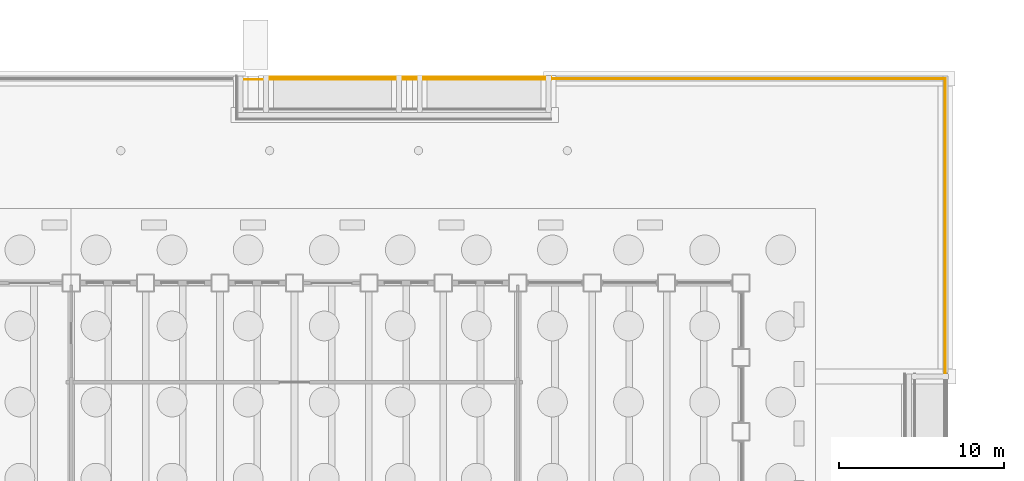
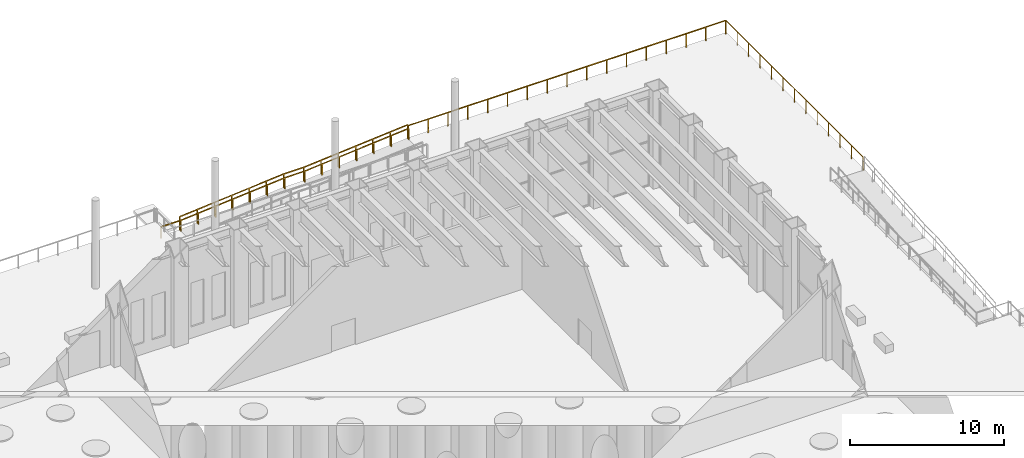
# One storey, part 22 of 26: 4 railings.
"""IFC4 building model written with IfcOpenShell, lengths in metres."""

import ifcopenshell
import ifcopenshell.guid

model = None  # the IFC model being written
_history = None  # IfcOwnerHistory: only IFC2X3 demands one
_inside = {}  # id of a spatial element -> (the spatial element, [elements in it])
_under = {}  # id of a project, library or spatial element -> (it, [spatial elements below it])
_declared = {}  # id of a project -> (the project, [libraries it declares])
_typed = {}  # id of a type object -> (the type object, [elements of that type])
_made_of = {}  # id of a material, layer set ... -> (it, [elements and type objects made of it])


def new_model(schema):
    """Start an empty IFC model of exactly this schema.

    Asked for "IFC4X3", IfcOpenShell would pick the latest addendum, in which some entities
    have other attributes; the version numbers below select the first issue.
    IFC2X3 requires an IfcOwnerHistory on every rooted entity: one is made here for all.
    """
    global model, _history
    if schema == "IFC4X3":
        model = ifcopenshell.file(schema_version=(4, 3, 0, 0))
    else:
        model = ifcopenshell.file(schema=schema)
    _inside.clear()
    _under.clear()
    _declared.clear()
    _typed.clear()
    _made_of.clear()
    _history = None
    if model.schema == "IFC2X3":
        org = make("IfcOrganization", Name="unknown")
        user = make(
            "IfcPersonAndOrganization",
            ThePerson=make("IfcPerson", FamilyName="unknown"),
            TheOrganization=org,
        )
        app = make(
            "IfcApplication",
            ApplicationDeveloper=org,
            Version="unknown",
            ApplicationFullName="unknown",
            ApplicationIdentifier="unknown",
        )
        _history = make(
            "IfcOwnerHistory",
            OwningUser=user,
            OwningApplication=app,
            ChangeAction="ADDED",
            CreationDate=0,
        )
    return model


def make(cls, **values):
    """One entity of the class cls with the attributes given. An attribute that is None is left unset."""
    return model.create_entity(
        cls, **{name: value for name, value in values.items() if value is not None}
    )


def rooted(cls, **values):
    """An entity with a GlobalId (a new one), such as an element, a storey or a relation."""
    return make(cls, GlobalId=ifcopenshell.guid.new(), OwnerHistory=_history, **values)


def si_unit(unit_type, name, prefix=None):
    """IfcSIUnit, for example si_unit("LENGTHUNIT", "METRE", prefix="MILLI")."""
    return make("IfcSIUnit", UnitType=unit_type, Prefix=prefix, Name=name)


def assignment(units):
    """IfcUnitAssignment: the units of a project."""
    return None if units is None else make("IfcUnitAssignment", Units=units)


def point(xyz):
    """IfcCartesianPoint."""
    return None if xyz is None else make("IfcCartesianPoint", Coordinates=xyz)


def direction(xyz):
    """IfcDirection."""
    return None if xyz is None else make("IfcDirection", DirectionRatios=xyz)


def frame(location, z_axis=None, x_axis=None):
    """IfcAxis2Placement3D, a coordinate frame: its origin and axes. An axis left out is left unset."""
    return make(
        "IfcAxis2Placement3D",
        Location=point(location),
        Axis=direction(z_axis),
        RefDirection=direction(x_axis),
    )


def frame_2d(location, x_axis=None):
    """IfcAxis2Placement2D, a coordinate frame in the plane: its origin and x axis."""
    return make(
        "IfcAxis2Placement2D", Location=point(location), RefDirection=direction(x_axis)
    )


def origin():
    """The frame at (0, 0, 0) with its axes left unset."""
    return frame((0.0, 0.0, 0.0))


def origin_2d():
    """The frame at (0, 0) in the plane with its x axis left unset."""
    return frame_2d((0.0, 0.0))


def place(relative_to, where):
    """IfcLocalPlacement: puts the frame where relative to a parent placement (None: the world)."""
    return make(
        "IfcLocalPlacement", PlacementRelTo=relative_to, RelativePlacement=where
    )


def context(
    kind, dimensions, precision=None, world=None, true_north=None, identifier=None
):
    """IfcGeometricRepresentationContext, for example the 3D "Model" context."""
    return make(
        "IfcGeometricRepresentationContext",
        ContextIdentifier=identifier,
        ContextType=kind,
        CoordinateSpaceDimension=dimensions,
        Precision=precision,
        WorldCoordinateSystem=world,
        TrueNorth=true_north,
    )


def subcontext(parent, identifier, kind, view, scale=None):
    """IfcGeometricRepresentationSubContext, for example "Body" below "Model"."""
    return make(
        "IfcGeometricRepresentationSubContext",
        ContextIdentifier=identifier,
        ContextType=kind,
        ParentContext=parent,
        TargetScale=scale,
        TargetView=view,
    )


def project(units=None, contexts=None):
    """IfcProject with its units and contexts."""
    return rooted(
        "IfcProject",
        Name="project",
        RepresentationContexts=contexts,
        UnitsInContext=assignment(units),
    )


def spatial(cls, under=None, at=None, **own):
    """A site, building, storey or space (cls), placed at a placement, below another one or the project."""
    s = rooted(cls, ObjectPlacement=at, **own)
    if under is not None:
        _under.setdefault(under.id(), (under, []))[1].append(s)
    return s


def profile(cls, at=None, kind="AREA", **sizes):
    """A parametric profile (cls). Its sizes go by their IFC names, for example OverallWidth=200.0."""
    return make(cls, ProfileType=kind, Position=at, **sizes)


def rectangle(**sizes):
    """IfcRectangleProfileDef."""
    return profile("IfcRectangleProfileDef", **sizes)


def extrude(swept, where, along, depth):
    """IfcExtrudedAreaSolid: the profile swept, set in the frame where, extruded along a direction by depth."""
    return make(
        "IfcExtrudedAreaSolid",
        SweptArea=swept,
        Position=where,
        ExtrudedDirection=direction(along),
        Depth=depth,
    )


def shape(context_of_items, identifier, shape_type, items):
    """IfcShapeRepresentation: the items that make up one representation, for example the "Body"."""
    return make(
        "IfcShapeRepresentation",
        ContextOfItems=context_of_items,
        RepresentationIdentifier=identifier,
        RepresentationType=shape_type,
        Items=items,
    )


def material(Name=None, Category=None):
    """IfcMaterial."""
    return make("IfcMaterial", Name=Name, Category=Category)


def made_of(thing, what):
    """Note that an element or type object is made of a material, layer set ...; save() writes the relation."""
    if what is not None:
        _made_of.setdefault(what.id(), (what, []))[1].append(thing)
    return thing


def type_object(cls, material=None, **own):
    """A type object (cls), such as IfcWallType, which elements share."""
    return made_of(rooted(cls, **own), material)


def element(
    cls,
    number,
    at=None,
    inside=None,
    cuts=None,
    type_object=None,
    material=None,
    context=None,
    identifier="Body",
    shape_type=None,
    held_by="IfcProductDefinitionShape",
    body=None,
    shapes=None,
    **own,
):
    """One element of the class cls, such as IfcWall. Its Tag is "e" and its number.

    at: its placement. inside: the storey or other place that contains it. cuts: it is an
    opening in that element (IfcRelVoidsElement). A single representation is given by context,
    identifier, shape_type and body (its items); several are given by shapes. held_by: the class
    of the entity that holds the representations. save() writes the other relations.
    """
    e = rooted(cls, Tag="e%d" % number, ObjectPlacement=at, **own)
    if body is not None:
        shapes = [shape(context, identifier, shape_type, body)]
    if shapes is not None:
        e.Representation = make(held_by, Representations=shapes)
    if inside is not None:
        _inside.setdefault(inside.id(), (inside, []))[1].append(e)
    if cuts is not None:
        rooted(
            "IfcRelVoidsElement", RelatingBuildingElement=cuts, RelatedOpeningElement=e
        )
    if type_object is not None:
        _typed.setdefault(type_object.id(), (type_object, []))[1].append(e)
    return made_of(e, material)


def aggregate(whole, parts):
    """IfcRelAggregates: a whole, such as a stair, and the parts it consists of."""
    return rooted("IfcRelAggregates", RelatingObject=whole, RelatedObjects=parts)


def save(model, path):
    """Write the relations noted so far, then the file.

    IfcRelAggregates (storeys below a building ...), IfcRelContainedInSpatialStructure (elements
    in a storey), IfcRelDefinesByType, IfcRelAssociatesMaterial and IfcRelDeclares: one each for
    every whole, place, type object, material and project.
    """
    for whole, parts in _under.values():
        aggregate(whole, parts)
    for where, things in _inside.values():
        rooted(
            "IfcRelContainedInSpatialStructure",
            RelatedElements=things,
            RelatingStructure=where,
        )
    for kind, things in _typed.values():
        rooted("IfcRelDefinesByType", RelatedObjects=things, RelatingType=kind)
    for what, things in _made_of.values():
        rooted("IfcRelAssociatesMaterial", RelatedObjects=things, RelatingMaterial=what)
    for by, libraries in _declared.values():
        rooted("IfcRelDeclares", RelatingContext=by, RelatedDefinitions=libraries)
    model.write(path)


model = new_model("IFC4")

# Units and contexts
model_context = context("Model", 3, precision=1e-05, world=origin(), true_north=direction((0.0, 1.0)))
body_context = subcontext(model_context, "Body", "Model", "MODEL_VIEW")
ifc_project = project(units=[si_unit("LENGTHUNIT", "METRE"), si_unit("AREAUNIT", "SQUARE_METRE"), si_unit("VOLUMEUNIT", "CUBIC_METRE"), si_unit("PLANEANGLEUNIT", "RADIAN"), si_unit("MASSUNIT", "GRAM", prefix="KILO")], contexts=[model_context])

# Site, building, storey
site_placement = place(None, origin())
site = spatial("IfcSite", under=ifc_project, at=site_placement, CompositionType="ELEMENT")
building_placement = place(site_placement, origin())
building = spatial("IfcBuilding", under=site, at=building_placement, Name="Sennacour Bend Tower", CompositionType="ELEMENT")
storey_placement = place(building_placement, origin())
storey = spatial("IfcBuildingStorey", under=building, at=storey_placement, Name="L00", CompositionType="ELEMENT", Elevation=0.0)

# Railings
ifc_material = material(Name="Stainless steel 316", Category="steel")
railing_type_1 = type_object("IfcRailingType", Name="PLAZA EDGE GUARD 1100", PredefinedType="GUARDRAIL", material=ifc_material)
railing_1_placement = place(storey_placement, frame((79.85009765625, 44.0, 0.0)))
element("IfcRailing", 1, at=railing_1_placement, inside=storey, type_object=railing_type_1, Name="Plaza edge guard east", PredefinedType="GUARDRAIL", context=body_context, shape_type="SweptSolid", body=[
    extrude(rectangle(XDim=0.048095703125, YDim=0.048095703125, at=origin_2d()), frame((0.0, 0.0, 1.076171875), z_axis=(0.0, 1.0, 0.0), x_axis=(-1.0, 0.0, 0.0)), (0.0, 0.0, 1.0), 17.85009765625),
    extrude(rectangle(XDim=0.0419921875, YDim=0.0419921875, at=origin_2d()), origin(), (0.0, 0.0, 1.0), 1.052001953125),
    extrude(rectangle(XDim=0.0419921875, YDim=0.0419921875, at=origin_2d()), frame((0.0, 1.487548828125, 0.0)), (0.0, 0.0, 1.0), 1.052001953125),
    extrude(rectangle(XDim=0.0419921875, YDim=0.0419921875, at=origin_2d()), frame((0.0, 2.97509765625, 0.0)), (0.0, 0.0, 1.0), 1.052001953125),
    extrude(rectangle(XDim=0.0419921875, YDim=0.0419921875, at=origin_2d()), frame((0.0, 4.46240234375, 0.0)), (0.0, 0.0, 1.0), 1.052001953125),
    extrude(rectangle(XDim=0.0419921875, YDim=0.0419921875, at=origin_2d()), frame((0.0, 5.949951171875, 0.0)), (0.0, 0.0, 1.0), 1.052001953125),
    extrude(rectangle(XDim=0.0419921875, YDim=0.0419921875, at=origin_2d()), frame((0.0, 7.4375, 0.0)), (0.0, 0.0, 1.0), 1.052001953125),
    extrude(rectangle(XDim=0.0419921875, YDim=0.0419921875, at=origin_2d()), frame((0.0, 8.925048828125, 0.0)), (0.0, 0.0, 1.0), 1.052001953125),
    extrude(rectangle(XDim=0.0419921875, YDim=0.0419921875, at=origin_2d()), frame((0.0, 10.41259765625, 0.0)), (0.0, 0.0, 1.0), 1.052001953125),
    extrude(rectangle(XDim=0.0419921875, YDim=0.0419921875, at=origin_2d()), frame((0.0, 11.900146484375, 0.0)), (0.0, 0.0, 1.0), 1.052001953125),
    extrude(rectangle(XDim=0.0419921875, YDim=0.0419921875, at=origin_2d()), frame((0.0, 13.3876953125, 0.0)), (0.0, 0.0, 1.0), 1.052001953125),
    extrude(rectangle(XDim=0.0419921875, YDim=0.0419921875, at=origin_2d()), frame((0.0, 14.875, 0.0)), (0.0, 0.0, 1.0), 1.052001953125),
    extrude(rectangle(XDim=0.0419921875, YDim=0.0419921875, at=origin_2d()), frame((0.0, 16.362548828125, 0.0)), (0.0, 0.0, 1.0), 1.052001953125),
    extrude(rectangle(XDim=0.0419921875, YDim=0.0419921875, at=origin_2d()), frame((0.0, 17.85009765625, 0.0)), (0.0, 0.0, 1.0), 1.052001953125),
])
railing_2_placement = place(storey_placement, frame((56.0, 61.85009765625, 0.0)))
element("IfcRailing", 2, at=railing_2_placement, inside=storey, type_object=railing_type_1, Name="Plaza edge guard north", PredefinedType="GUARDRAIL", context=body_context, shape_type="SweptSolid", body=[
    extrude(rectangle(XDim=0.048095703125, YDim=0.048095703125, at=origin_2d()), frame((0.0, 0.0, 1.076171875), z_axis=(1.0, 0.0, 0.0), x_axis=(0.0, 1.0, 0.0)), (0.0, 0.0, 1.0), 23.85009765625),
    extrude(rectangle(XDim=0.0419921875, YDim=0.0419921875, at=origin_2d()), origin(), (0.0, 0.0, 1.0), 1.052001953125),
    extrude(rectangle(XDim=0.0419921875, YDim=0.0419921875, at=origin_2d()), frame((1.49072265625, 0.0, 0.0)), (0.0, 0.0, 1.0), 1.052001953125),
    extrude(rectangle(XDim=0.0419921875, YDim=0.0419921875, at=origin_2d()), frame((2.981201171875, 0.0, 0.0)), (0.0, 0.0, 1.0), 1.052001953125),
    extrude(rectangle(XDim=0.0419921875, YDim=0.0419921875, at=origin_2d()), frame((4.471923828125, 0.0, 0.0)), (0.0, 0.0, 1.0), 1.052001953125),
    extrude(rectangle(XDim=0.0419921875, YDim=0.0419921875, at=origin_2d()), frame((5.96240234375, 0.0, 0.0)), (0.0, 0.0, 1.0), 1.052001953125),
    extrude(rectangle(XDim=0.0419921875, YDim=0.0419921875, at=origin_2d()), frame((7.453125, 0.0, 0.0)), (0.0, 0.0, 1.0), 1.052001953125),
    extrude(rectangle(XDim=0.0419921875, YDim=0.0419921875, at=origin_2d()), frame((8.94384765625, 0.0, 0.0)), (0.0, 0.0, 1.0), 1.052001953125),
    extrude(rectangle(XDim=0.0419921875, YDim=0.0419921875, at=origin_2d()), frame((10.434326171875, 0.0, 0.0)), (0.0, 0.0, 1.0), 1.052001953125),
    extrude(rectangle(XDim=0.0419921875, YDim=0.0419921875, at=origin_2d()), frame((11.925048828125, 0.0, 0.0)), (0.0, 0.0, 1.0), 1.052001953125),
    extrude(rectangle(XDim=0.0419921875, YDim=0.0419921875, at=origin_2d()), frame((13.415771484375, 0.0, 0.0)), (0.0, 0.0, 1.0), 1.052001953125),
    extrude(rectangle(XDim=0.0419921875, YDim=0.0419921875, at=origin_2d()), frame((14.90625, 0.0, 0.0)), (0.0, 0.0, 1.0), 1.052001953125),
    extrude(rectangle(XDim=0.0419921875, YDim=0.0419921875, at=origin_2d()), frame((16.39697265625, 0.0, 0.0)), (0.0, 0.0, 1.0), 1.052001953125),
    extrude(rectangle(XDim=0.0419921875, YDim=0.0419921875, at=origin_2d()), frame((17.8876953125, 0.0, 0.0)), (0.0, 0.0, 1.0), 1.052001953125),
    extrude(rectangle(XDim=0.0419921875, YDim=0.0419921875, at=origin_2d()), frame((19.378173828125, 0.0, 0.0)), (0.0, 0.0, 1.0), 1.052001953125),
    extrude(rectangle(XDim=0.0419921875, YDim=0.0419921875, at=origin_2d()), frame((20.868896484375, 0.0, 0.0)), (0.0, 0.0, 1.0), 1.052001953125),
    extrude(rectangle(XDim=0.0419921875, YDim=0.0419921875, at=origin_2d()), frame((22.359375, 0.0, 0.0)), (0.0, 0.0, 1.0), 1.052001953125),
    extrude(rectangle(XDim=0.0419921875, YDim=0.0419921875, at=origin_2d()), frame((23.85009765625, 0.0, 0.0)), (0.0, 0.0, 1.0), 1.052001953125),
])
railing_3_placement = place(storey_placement, frame((56.0, 61.949951171875, 0.0)))
element("IfcRailing", 3, at=railing_3_placement, inside=storey, type_object=railing_type_1, Name="Ramp guard North", PredefinedType="GUARDRAIL", context=body_context, shape_type="SweptSolid", body=[
    extrude(rectangle(XDim=0.048095703125, YDim=0.048095703125, at=origin_2d()), frame((0.0, 0.0, 1.076171875), z_axis=(-0.996546833741, 0.0, -0.083032572895), x_axis=(0.0, -1.0, 0.0)), (0.0, 0.0, 1.0), 7.8271484375),
    extrude(rectangle(XDim=0.048095703125, YDim=0.048095703125, at=origin_2d()), frame((-7.800048828125, 0.0, 0.42626953125), z_axis=(-1.0, 0.0, 0.0), x_axis=(0.0, -1.0, 0.0)), (0.0, 0.0, 1.0), 1.5),
    extrude(rectangle(XDim=0.048095703125, YDim=0.048095703125, at=origin_2d()), frame((-9.300048828125, 0.0, 0.42626953125), z_axis=(-0.996544252274, 0.0, -0.083063549526), x_axis=(0.0, -1.0, 0.0)), (0.0, 0.0, 1.0), 7.8271484375),
    extrude(rectangle(XDim=0.0419921875, YDim=0.0419921875, at=origin_2d()), origin(), (0.0, 0.0, 1.0), 1.052001953125),
    extrude(rectangle(XDim=0.0419921875, YDim=0.0419921875, at=origin_2d()), frame((-1.300048828125, 0.0, -0.1083984375)), (0.0, 0.0, 1.0), 1.052001953125),
    extrude(rectangle(XDim=0.0419921875, YDim=0.0419921875, at=origin_2d()), frame((-2.60009765625, 0.0, -0.216552734375)), (0.0, 0.0, 1.0), 1.052001953125),
    extrude(rectangle(XDim=0.0419921875, YDim=0.0419921875, at=origin_2d()), frame((-3.89990234375, 0.0, -0.324951171875)), (0.0, 0.0, 1.0), 1.052001953125),
    extrude(rectangle(XDim=0.0419921875, YDim=0.0419921875, at=origin_2d()), frame((-5.199951171875, 0.0, -0.433349609375)), (0.0, 0.0, 1.0), 1.052001953125),
    extrude(rectangle(XDim=0.0419921875, YDim=0.0419921875, at=origin_2d()), frame((-6.5, 0.0, -0.54150390625)), (0.0, 0.0, 1.0), 1.052001953125),
    extrude(rectangle(XDim=0.0419921875, YDim=0.0419921875, at=origin_2d()), frame((-7.800048828125, 0.0, -0.64990234375)), (0.0, 0.0, 1.0), 1.052001953125),
    extrude(rectangle(XDim=0.0419921875, YDim=0.0419921875, at=origin_2d()), frame((-9.300048828125, 0.0, -0.64990234375)), (0.0, 0.0, 1.0), 1.052001953125),
    extrude(rectangle(XDim=0.0419921875, YDim=0.0419921875, at=origin_2d()), frame((-10.60009765625, 0.0, -0.75830078125)), (0.0, 0.0, 1.0), 1.052001953125),
    extrude(rectangle(XDim=0.0419921875, YDim=0.0419921875, at=origin_2d()), frame((-11.900146484375, 0.0, -0.86669921875)), (0.0, 0.0, 1.0), 1.052001953125),
    extrude(rectangle(XDim=0.0419921875, YDim=0.0419921875, at=origin_2d()), frame((-13.2001953125, 0.0, -0.97509765625)), (0.0, 0.0, 1.0), 1.052001953125),
    extrude(rectangle(XDim=0.0419921875, YDim=0.0419921875, at=origin_2d()), frame((-14.5, 0.0, -1.083251953125)), (0.0, 0.0, 1.0), 1.052001953125),
    extrude(rectangle(XDim=0.0419921875, YDim=0.0419921875, at=origin_2d()), frame((-15.800048828125, 0.0, -1.191650390625)), (0.0, 0.0, 1.0), 1.052001953125),
    extrude(rectangle(XDim=0.0419921875, YDim=0.0419921875, at=origin_2d()), frame((-17.10009765625, 0.0, -1.300048828125)), (0.0, 0.0, 1.0), 1.052001953125),
])
railing_type_2 = type_object("IfcRailingType", Name="RAMP HANDRAIL 900", PredefinedType="HANDRAIL", material=ifc_material)
railing_4_placement = place(storey_placement, frame((56.0, 61.800048828125, 0.0)))
element("IfcRailing", 4, at=railing_4_placement, inside=storey, type_object=railing_type_2, Name="Ramp handrail street side", PredefinedType="HANDRAIL", context=body_context, shape_type="SweptSolid", body=[
    extrude(rectangle(XDim=0.048095703125, YDim=0.048095703125, at=origin_2d()), frame((0.0, 0.0, 0.8759765625), z_axis=(-0.996546833741, 0.0, -0.083032572895), x_axis=(0.0, -1.0, 0.0)), (0.0, 0.0, 1.0), 7.8271484375),
    extrude(rectangle(XDim=0.048095703125, YDim=0.048095703125, at=origin_2d()), frame((-7.800048828125, 0.0, 0.22607421875), z_axis=(-1.0, 0.0, 0.0), x_axis=(0.0, -1.0, 0.0)), (0.0, 0.0, 1.0), 1.5),
    extrude(rectangle(XDim=0.048095703125, YDim=0.048095703125, at=origin_2d()), frame((-9.300048828125, 0.0, 0.22607421875), z_axis=(-0.996544252274, 0.0, -0.083063549526), x_axis=(0.0, -1.0, 0.0)), (0.0, 0.0, 1.0), 7.8271484375),
    extrude(rectangle(XDim=0.048095703125, YDim=0.048095703125, at=origin_2d()), frame((-17.10009765625, 0.0, -0.42431640625), z_axis=(-1.0, 0.0, 0.0), x_axis=(0.0, -1.0, 0.0)), (0.0, 0.0, 1.0), 1.5),
    extrude(rectangle(XDim=0.0419921875, YDim=0.0419921875, at=origin_2d()), origin(), (0.0, 0.0, 1.0), 0.851806640625),
    extrude(rectangle(XDim=0.0419921875, YDim=0.0419921875, at=origin_2d()), frame((-1.300048828125, 0.0, -0.1083984375)), (0.0, 0.0, 1.0), 0.851806640625),
    extrude(rectangle(XDim=0.0419921875, YDim=0.0419921875, at=origin_2d()), frame((-2.60009765625, 0.0, -0.216552734375)), (0.0, 0.0, 1.0), 0.851806640625),
    extrude(rectangle(XDim=0.0419921875, YDim=0.0419921875, at=origin_2d()), frame((-3.89990234375, 0.0, -0.324951171875)), (0.0, 0.0, 1.0), 0.851806640625),
    extrude(rectangle(XDim=0.0419921875, YDim=0.0419921875, at=origin_2d()), frame((-5.199951171875, 0.0, -0.433349609375)), (0.0, 0.0, 1.0), 0.851806640625),
    extrude(rectangle(XDim=0.0419921875, YDim=0.0419921875, at=origin_2d()), frame((-6.5, 0.0, -0.54150390625)), (0.0, 0.0, 1.0), 0.851806640625),
    extrude(rectangle(XDim=0.0419921875, YDim=0.0419921875, at=origin_2d()), frame((-7.800048828125, 0.0, -0.64990234375)), (0.0, 0.0, 1.0), 0.851806640625),
    extrude(rectangle(XDim=0.0419921875, YDim=0.0419921875, at=origin_2d()), frame((-9.300048828125, 0.0, -0.64990234375)), (0.0, 0.0, 1.0), 0.851806640625),
    extrude(rectangle(XDim=0.0419921875, YDim=0.0419921875, at=origin_2d()), frame((-10.60009765625, 0.0, -0.75830078125)), (0.0, 0.0, 1.0), 0.851806640625),
    extrude(rectangle(XDim=0.0419921875, YDim=0.0419921875, at=origin_2d()), frame((-11.900146484375, 0.0, -0.86669921875)), (0.0, 0.0, 1.0), 0.851806640625),
    extrude(rectangle(XDim=0.0419921875, YDim=0.0419921875, at=origin_2d()), frame((-13.2001953125, 0.0, -0.97509765625)), (0.0, 0.0, 1.0), 0.851806640625),
    extrude(rectangle(XDim=0.0419921875, YDim=0.0419921875, at=origin_2d()), frame((-14.5, 0.0, -1.083251953125)), (0.0, 0.0, 1.0), 0.851806640625),
    extrude(rectangle(XDim=0.0419921875, YDim=0.0419921875, at=origin_2d()), frame((-15.800048828125, 0.0, -1.191650390625)), (0.0, 0.0, 1.0), 0.851806640625),
    extrude(rectangle(XDim=0.0419921875, YDim=0.0419921875, at=origin_2d()), frame((-17.10009765625, 0.0, -1.300048828125)), (0.0, 0.0, 1.0), 0.851806640625),
    extrude(rectangle(XDim=0.0419921875, YDim=0.0419921875, at=origin_2d()), frame((-18.60009765625, 0.0, -1.300048828125)), (0.0, 0.0, 1.0), 0.851806640625),
])

save(model, "model.ifc")
